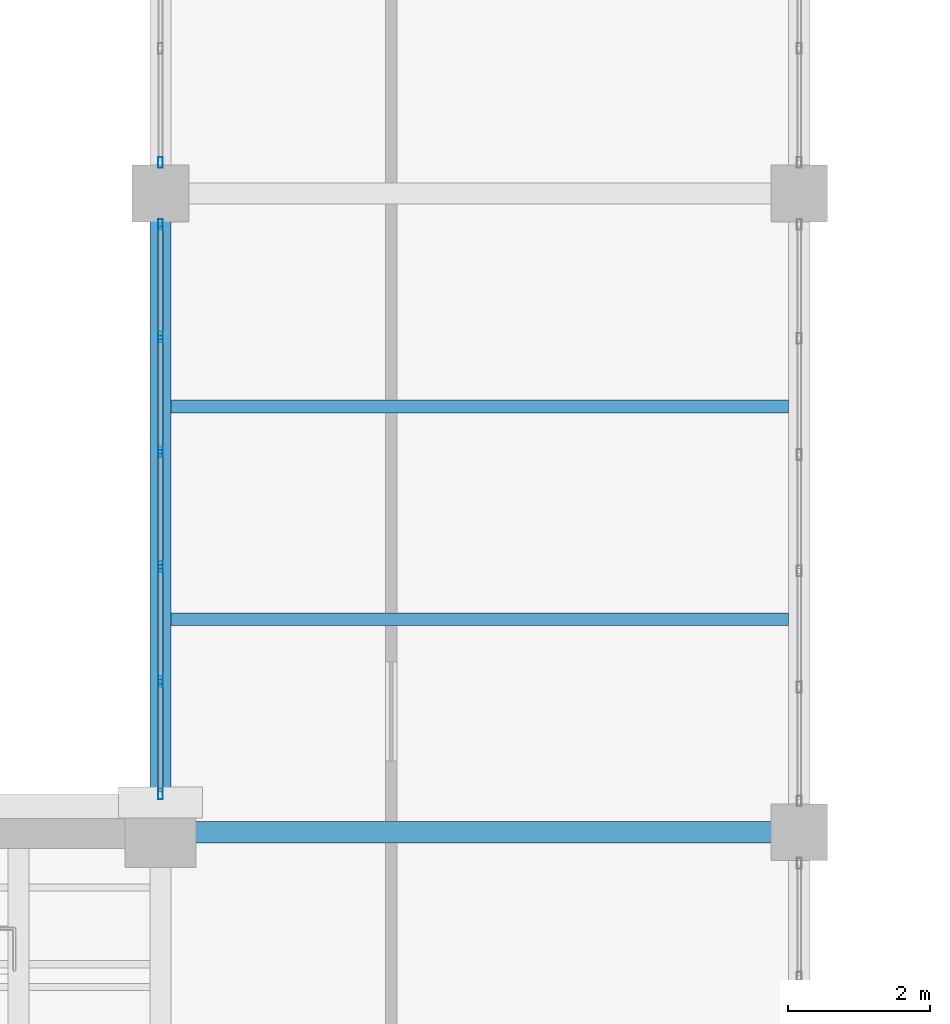
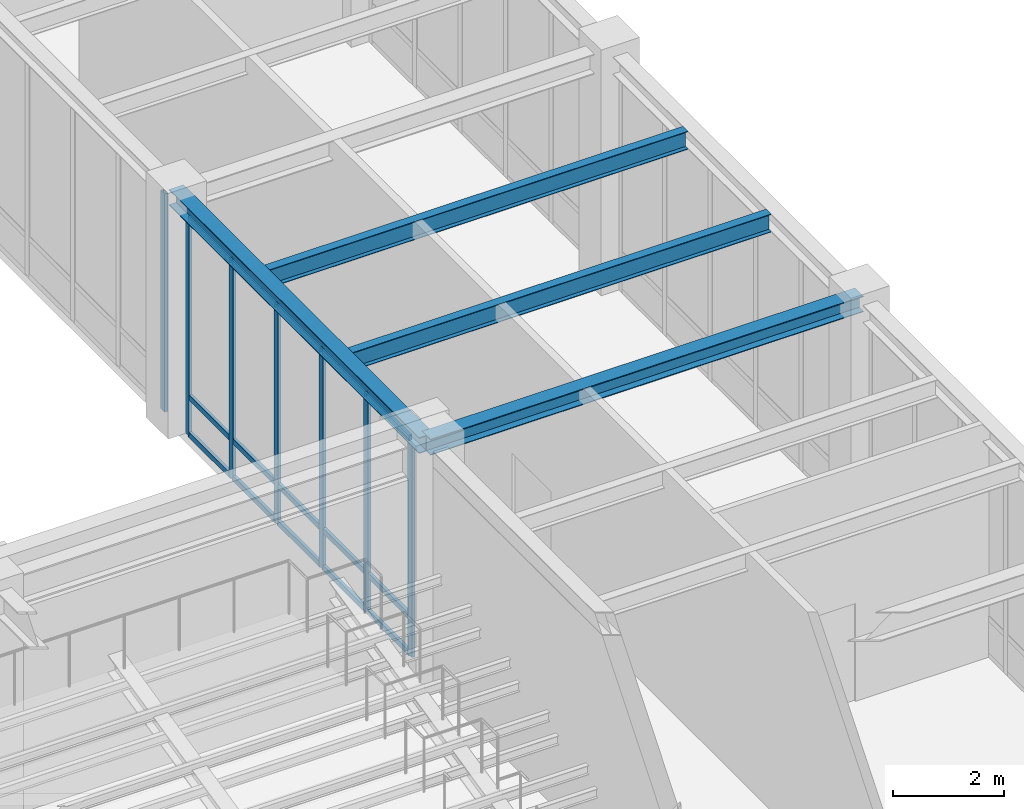
# One storey, part 22 of 77: 22 members, 4 beams, 2 elements without a shape of their own.
"""IFC4 building model written with IfcOpenShell, lengths in metres."""

from ifc_helpers import new_model, si_unit, direction, frame, origin, origin_2d, place, context, subcontext, project, spatial, hollow_rectangle, i_section, extrude, material, material_profile, profile_set, type_object, element, aggregate, save


model = new_model("IFC4")

# Units and contexts
model_context = context("Model", 3, precision=1e-05, world=origin(), true_north=direction((0.0, 1.0)))
body_context = subcontext(model_context, "Body", "Model", "MODEL_VIEW")
ifc_project = project(units=[si_unit("LENGTHUNIT", "METRE"), si_unit("AREAUNIT", "SQUARE_METRE"), si_unit("VOLUMEUNIT", "CUBIC_METRE"), si_unit("PLANEANGLEUNIT", "RADIAN"), si_unit("MASSUNIT", "GRAM", prefix="KILO")], contexts=[model_context])

# Site, building, storey
site_placement = place(None, origin())
site = spatial("IfcSite", under=ifc_project, at=site_placement, CompositionType="ELEMENT")
building_placement = place(site_placement, origin())
building = spatial("IfcBuilding", under=site, at=building_placement, Name="Lykobir Media Centre", CompositionType="ELEMENT")
storey_placement = place(building_placement, origin())
storey = spatial("IfcBuildingStorey", under=building, at=storey_placement, Name="L00", CompositionType="ELEMENT", Elevation=0.0)

# Curtain wall, members
ifc_material_1 = material(Name="Anodized Aluminium AW-6060", Category="aluminium")
curtain_wall_type = type_object("IfcCurtainWallType", Name="CW-COURT-A", PredefinedType="NOTDEFINED", material=ifc_material_1)
curtain_wall_1_placement = place(storey_placement, origin())
curtain_wall_1 = element("IfcCurtainWall", 1, at=curtain_wall_1_placement, inside=storey, type_object=curtain_wall_type, Name="Curtain wall CW2-L00-0023", PredefinedType="NOTDEFINED")
ifc_material_profile_1 = material_profile(ifc_material_1, hollow_rectangle(XDim=0.06494140625, YDim=0.14990234375, WallThickness=0.00341796875, at=origin_2d()), Name="ALU MULLION 65x150")
ifc_profile_set_1 = profile_set([ifc_material_profile_1], Name="Anodized Aluminium AW-6060")
member_type_1 = type_object("IfcMemberType", Name="CWM-150", PredefinedType="MULLION", material=ifc_profile_set_1)
member_1_placement = place(storey_placement, frame((27.0, 45.53759765625, 0.0), z_axis=(0.0, 0.0, 1.0), x_axis=(-1.0, 0.0, 0.0)))
member_1 = element("IfcMember", 2, at=member_1_placement, type_object=member_type_1, Name="CW2-L00-0023 mullion 1", PredefinedType="MULLION", context=body_context, shape_type="SweptSolid", body=[
    extrude(hollow_rectangle(XDim=0.06494140625, YDim=0.14990234375, WallThickness=0.00341796875, at=origin_2d()), origin(), (0.0, 0.0, 1.0), 4.794921875),
])
member_2_placement = place(storey_placement, frame((27.0, 47.123046875, 0.0), z_axis=(0.0, 0.0, 1.0), x_axis=(-1.0, 0.0, 0.0)))
member_2 = element("IfcMember", 3, at=member_2_placement, type_object=member_type_1, Name="CW2-L00-0023 mullion 2", PredefinedType="MULLION", context=body_context, shape_type="SweptSolid", body=[
    extrude(hollow_rectangle(XDim=0.06494140625, YDim=0.14990234375, WallThickness=0.00341796875, at=origin_2d()), origin(), (0.0, 0.0, 1.0), 4.794921875),
])
member_3_placement = place(storey_placement, frame((27.0, 48.740966796875, 0.0), z_axis=(0.0, 0.0, 1.0), x_axis=(-1.0, 0.0, 0.0)))
member_3 = element("IfcMember", 4, at=member_3_placement, type_object=member_type_1, Name="CW2-L00-0023 mullion 3", PredefinedType="MULLION", context=body_context, shape_type="SweptSolid", body=[
    extrude(hollow_rectangle(XDim=0.06494140625, YDim=0.14990234375, WallThickness=0.00341796875, at=origin_2d()), origin(), (0.0, 0.0, 1.0), 4.794921875),
])
member_4_placement = place(storey_placement, frame((27.0, 50.35888671875, 0.0), z_axis=(0.0, 0.0, 1.0), x_axis=(-1.0, 0.0, 0.0)))
member_4 = element("IfcMember", 5, at=member_4_placement, type_object=member_type_1, Name="CW2-L00-0023 mullion 4", PredefinedType="MULLION", context=body_context, shape_type="SweptSolid", body=[
    extrude(hollow_rectangle(XDim=0.06494140625, YDim=0.14990234375, WallThickness=0.00341796875, at=origin_2d()), origin(), (0.0, 0.0, 1.0), 4.794921875),
])
member_5_placement = place(storey_placement, frame((27.0, 51.97705078125, 0.0), z_axis=(0.0, 0.0, 1.0), x_axis=(-1.0, 0.0, 0.0)))
member_5 = element("IfcMember", 6, at=member_5_placement, type_object=member_type_1, Name="CW2-L00-0023 mullion 5", PredefinedType="MULLION", context=body_context, shape_type="SweptSolid", body=[
    extrude(hollow_rectangle(XDim=0.06494140625, YDim=0.14990234375, WallThickness=0.00341796875, at=origin_2d()), origin(), (0.0, 0.0, 1.0), 4.794921875),
])
member_6_placement = place(storey_placement, frame((27.0, 53.5625, 0.0), z_axis=(0.0, 0.0, 1.0), x_axis=(-1.0, 0.0, 0.0)))
member_6 = element("IfcMember", 7, at=member_6_placement, type_object=member_type_1, Name="CW2-L00-0023 mullion 6", PredefinedType="MULLION", context=body_context, shape_type="SweptSolid", body=[
    extrude(hollow_rectangle(XDim=0.06494140625, YDim=0.14990234375, WallThickness=0.00341796875, at=origin_2d()), origin(), (0.0, 0.0, 1.0), 4.794921875),
])

# Curtain wall, member
curtain_wall_2_placement = place(storey_placement, origin())
curtain_wall_2 = element("IfcCurtainWall", 8, at=curtain_wall_2_placement, inside=storey, type_object=curtain_wall_type, Name="Curtain wall CW2-L00-0024", PredefinedType="NOTDEFINED")
member_7_placement = place(storey_placement, frame((27.0, 54.4375, 0.0), z_axis=(0.0, 0.0, 1.0), x_axis=(-1.0, 0.0, 0.0)))
member_7 = element("IfcMember", 9, at=member_7_placement, type_object=member_type_1, Name="CW2-L00-0024 mullion 1", PredefinedType="MULLION", context=body_context, shape_type="SweptSolid", body=[
    extrude(hollow_rectangle(XDim=0.06494140625, YDim=0.14990234375, WallThickness=0.00341796875, at=origin_2d()), origin(), (0.0, 0.0, 1.0), 4.794921875),
])
aggregate(curtain_wall_2, [member_7])

# Member
ifc_material_profile_2 = material_profile(ifc_material_1, hollow_rectangle(XDim=0.06494140625, YDim=0.1201171875, WallThickness=0.0029296875, at=origin_2d()), Name="ALU TRANSOM 65x120")
ifc_profile_set_2 = profile_set([ifc_material_profile_2], Name="Anodized Aluminium AW-6060")
member_type_2 = type_object("IfcMemberType", Name="CWT-120", PredefinedType="USERDEFINED", material=ifc_profile_set_2)
member_8_placement = place(storey_placement, frame((27.0, 45.570068359375, 0.032470703125), z_axis=(0.0, 1.0, 0.0), x_axis=(-1.0, 0.0, 0.0)))
member_8 = element("IfcMember", 10, at=member_8_placement, type_object=member_type_2, Name="CW2-L00-0023 transom 1.1", ObjectType="TRANSOM", PredefinedType="USERDEFINED", context=body_context, shape_type="SweptSolid", body=[
    extrude(hollow_rectangle(XDim=0.06494140625, YDim=0.1201171875, WallThickness=0.0029296875, at=origin_2d()), origin(), (0.0, 0.0, 1.0), 1.5205078125),
])

member_9_placement = place(storey_placement, frame((27.0, 45.570068359375, 0.85009765625), z_axis=(0.0, 1.0, 0.0), x_axis=(-1.0, 0.0, 0.0)))
member_9 = element("IfcMember", 11, at=member_9_placement, type_object=member_type_2, Name="CW2-L00-0023 transom 1.2", ObjectType="TRANSOM", PredefinedType="USERDEFINED", context=body_context, shape_type="SweptSolid", body=[
    extrude(hollow_rectangle(XDim=0.06494140625, YDim=0.1201171875, WallThickness=0.0029296875, at=origin_2d()), origin(), (0.0, 0.0, 1.0), 1.5205078125),
])

member_10_placement = place(storey_placement, frame((27.0, 45.570068359375, 4.762451171875), z_axis=(0.0, 1.0, 0.0), x_axis=(-1.0, 0.0, 0.0)))
member_10 = element("IfcMember", 12, at=member_10_placement, type_object=member_type_2, Name="CW2-L00-0023 transom 1.3", ObjectType="TRANSOM", PredefinedType="USERDEFINED", context=body_context, shape_type="SweptSolid", body=[
    extrude(hollow_rectangle(XDim=0.06494140625, YDim=0.1201171875, WallThickness=0.0029296875, at=origin_2d()), origin(), (0.0, 0.0, 1.0), 1.5205078125),
])

member_11_placement = place(storey_placement, frame((27.0, 47.155517578125, 0.032470703125), z_axis=(0.0, 1.0, 0.0), x_axis=(-1.0, 0.0, 0.0)))
member_11 = element("IfcMember", 13, at=member_11_placement, type_object=member_type_2, Name="CW2-L00-0023 transom 2.1", ObjectType="TRANSOM", PredefinedType="USERDEFINED", context=body_context, shape_type="SweptSolid", body=[
    extrude(hollow_rectangle(XDim=0.06494140625, YDim=0.1201171875, WallThickness=0.0029296875, at=origin_2d()), origin(), (0.0, 0.0, 1.0), 1.552978515625),
])

member_12_placement = place(storey_placement, frame((27.0, 47.155517578125, 0.85009765625), z_axis=(0.0, 1.0, 0.0), x_axis=(-1.0, 0.0, 0.0)))
member_12 = element("IfcMember", 14, at=member_12_placement, type_object=member_type_2, Name="CW2-L00-0023 transom 2.2", ObjectType="TRANSOM", PredefinedType="USERDEFINED", context=body_context, shape_type="SweptSolid", body=[
    extrude(hollow_rectangle(XDim=0.06494140625, YDim=0.1201171875, WallThickness=0.0029296875, at=origin_2d()), origin(), (0.0, 0.0, 1.0), 1.552978515625),
])

member_13_placement = place(storey_placement, frame((27.0, 47.155517578125, 4.762451171875), z_axis=(0.0, 1.0, 0.0), x_axis=(-1.0, 0.0, 0.0)))
member_13 = element("IfcMember", 15, at=member_13_placement, type_object=member_type_2, Name="CW2-L00-0023 transom 2.3", ObjectType="TRANSOM", PredefinedType="USERDEFINED", context=body_context, shape_type="SweptSolid", body=[
    extrude(hollow_rectangle(XDim=0.06494140625, YDim=0.1201171875, WallThickness=0.0029296875, at=origin_2d()), origin(), (0.0, 0.0, 1.0), 1.552978515625),
])

member_14_placement = place(storey_placement, frame((27.0, 48.7734375, 0.032470703125), z_axis=(0.0, 1.0, 0.0), x_axis=(-1.0, 0.0, 0.0)))
member_14 = element("IfcMember", 16, at=member_14_placement, type_object=member_type_2, Name="CW2-L00-0023 transom 3.1", ObjectType="TRANSOM", PredefinedType="USERDEFINED", context=body_context, shape_type="SweptSolid", body=[
    extrude(hollow_rectangle(XDim=0.06494140625, YDim=0.1201171875, WallThickness=0.0029296875, at=origin_2d()), origin(), (0.0, 0.0, 1.0), 1.552978515625),
])

member_15_placement = place(storey_placement, frame((27.0, 48.7734375, 0.85009765625), z_axis=(0.0, 1.0, 0.0), x_axis=(-1.0, 0.0, 0.0)))
member_15 = element("IfcMember", 17, at=member_15_placement, type_object=member_type_2, Name="CW2-L00-0023 transom 3.2", ObjectType="TRANSOM", PredefinedType="USERDEFINED", context=body_context, shape_type="SweptSolid", body=[
    extrude(hollow_rectangle(XDim=0.06494140625, YDim=0.1201171875, WallThickness=0.0029296875, at=origin_2d()), origin(), (0.0, 0.0, 1.0), 1.552978515625),
])

member_16_placement = place(storey_placement, frame((27.0, 48.7734375, 4.762451171875), z_axis=(0.0, 1.0, 0.0), x_axis=(-1.0, 0.0, 0.0)))
member_16 = element("IfcMember", 18, at=member_16_placement, type_object=member_type_2, Name="CW2-L00-0023 transom 3.3", ObjectType="TRANSOM", PredefinedType="USERDEFINED", context=body_context, shape_type="SweptSolid", body=[
    extrude(hollow_rectangle(XDim=0.06494140625, YDim=0.1201171875, WallThickness=0.0029296875, at=origin_2d()), origin(), (0.0, 0.0, 1.0), 1.552978515625),
])

member_17_placement = place(storey_placement, frame((27.0, 50.3916015625, 0.032470703125), z_axis=(0.0, 1.0, 0.0), x_axis=(-1.0, 0.0, 0.0)))
member_17 = element("IfcMember", 19, at=member_17_placement, type_object=member_type_2, Name="CW2-L00-0023 transom 4.1", ObjectType="TRANSOM", PredefinedType="USERDEFINED", context=body_context, shape_type="SweptSolid", body=[
    extrude(hollow_rectangle(XDim=0.06494140625, YDim=0.1201171875, WallThickness=0.0029296875, at=origin_2d()), origin(), (0.0, 0.0, 1.0), 1.552978515625),
])

member_18_placement = place(storey_placement, frame((27.0, 50.3916015625, 0.85009765625), z_axis=(0.0, 1.0, 0.0), x_axis=(-1.0, 0.0, 0.0)))
member_18 = element("IfcMember", 20, at=member_18_placement, type_object=member_type_2, Name="CW2-L00-0023 transom 4.2", ObjectType="TRANSOM", PredefinedType="USERDEFINED", context=body_context, shape_type="SweptSolid", body=[
    extrude(hollow_rectangle(XDim=0.06494140625, YDim=0.1201171875, WallThickness=0.0029296875, at=origin_2d()), origin(), (0.0, 0.0, 1.0), 1.552978515625),
])

member_19_placement = place(storey_placement, frame((27.0, 50.3916015625, 4.762451171875), z_axis=(0.0, 1.0, 0.0), x_axis=(-1.0, 0.0, 0.0)))
member_19 = element("IfcMember", 21, at=member_19_placement, type_object=member_type_2, Name="CW2-L00-0023 transom 4.3", ObjectType="TRANSOM", PredefinedType="USERDEFINED", context=body_context, shape_type="SweptSolid", body=[
    extrude(hollow_rectangle(XDim=0.06494140625, YDim=0.1201171875, WallThickness=0.0029296875, at=origin_2d()), origin(), (0.0, 0.0, 1.0), 1.552978515625),
])

member_20_placement = place(storey_placement, frame((27.0, 52.009521484375, 0.032470703125), z_axis=(0.0, 1.0, 0.0), x_axis=(-1.0, 0.0, 0.0)))
member_20 = element("IfcMember", 22, at=member_20_placement, type_object=member_type_2, Name="CW2-L00-0023 transom 5.1", ObjectType="TRANSOM", PredefinedType="USERDEFINED", context=body_context, shape_type="SweptSolid", body=[
    extrude(hollow_rectangle(XDim=0.06494140625, YDim=0.1201171875, WallThickness=0.0029296875, at=origin_2d()), origin(), (0.0, 0.0, 1.0), 1.5205078125),
])

member_21_placement = place(storey_placement, frame((27.0, 52.009521484375, 0.85009765625), z_axis=(0.0, 1.0, 0.0), x_axis=(-1.0, 0.0, 0.0)))
member_21 = element("IfcMember", 23, at=member_21_placement, type_object=member_type_2, Name="CW2-L00-0023 transom 5.2", ObjectType="TRANSOM", PredefinedType="USERDEFINED", context=body_context, shape_type="SweptSolid", body=[
    extrude(hollow_rectangle(XDim=0.06494140625, YDim=0.1201171875, WallThickness=0.0029296875, at=origin_2d()), origin(), (0.0, 0.0, 1.0), 1.5205078125),
])

member_22_placement = place(storey_placement, frame((27.0, 52.009521484375, 4.762451171875), z_axis=(0.0, 1.0, 0.0), x_axis=(-1.0, 0.0, 0.0)))
member_22 = element("IfcMember", 24, at=member_22_placement, type_object=member_type_2, Name="CW2-L00-0023 transom 5.3", ObjectType="TRANSOM", PredefinedType="USERDEFINED", context=body_context, shape_type="SweptSolid", body=[
    extrude(hollow_rectangle(XDim=0.06494140625, YDim=0.1201171875, WallThickness=0.0029296875, at=origin_2d()), origin(), (0.0, 0.0, 1.0), 1.5205078125),
])

aggregate(curtain_wall_1, [member_1, member_2, member_3, member_4, member_5, member_6, member_8, member_9, member_10, member_11, member_12, member_13, member_14, member_15, member_16, member_17, member_18, member_19, member_20, member_21, member_22])

# Beams
ifc_material_2 = material(Name="Steel S355", Category="steel")
ifc_material_profile_3 = material_profile(ifc_material_2, i_section(OverallWidth=0.179931640625, OverallDepth=0.39990234375, WebThickness=0.008544921875, FlangeThickness=0.013427734375, at=origin_2d()), Name="IPE 400")
ifc_profile_set_3 = profile_set([ifc_material_profile_3], Name="Steel S355")
beam_type_1 = type_object("IfcBeamType", Name="JS-IPE400", PredefinedType="JOIST", material=ifc_profile_set_3)
for number, where, z_axis, x_axis, name in (
    (25, (27.14990234375, 48.0, 4.9599609375), (1.0, 0.0, 0.0), (0.0, 1.0, 0.0), "Beam BM-L00-0272-0480-0358-0480-496"),
    (26, (27.14990234375, 51.0, 4.9599609375), (1.0, 0.0, 0.0), (0.0, 1.0, 0.0), "Beam BM-L00-0272-0510-0358-0510-496"),
):
    element("IfcBeam", number, at=place(storey_placement, frame(where, z_axis=z_axis, x_axis=x_axis)), inside=storey, type_object=beam_type_1, Name=name, PredefinedType="JOIST", context=body_context, shape_type="SweptSolid", body=[
        extrude(i_section(OverallWidth=0.179931640625, OverallDepth=0.39990234375, WebThickness=0.008544921875, FlangeThickness=0.013427734375, at=origin_2d()), origin(), (0.0, 0.0, 1.0), 8.7001953125),
    ])
ifc_material_profile_4 = material_profile(ifc_material_2, i_section(OverallWidth=0.300048828125, OverallDepth=0.35009765625, WebThickness=0.010009765625, FlangeThickness=0.017578125, at=origin_2d()), Name="HEA 360")
ifc_profile_set_4 = profile_set([ifc_material_profile_4], Name="Steel S355")
beam_type_2 = type_object("IfcBeamType", Name="SP-HEA360", PredefinedType="SPANDREL", material=ifc_profile_set_4)
for number, where, z_axis, x_axis, name in (
    (27, (27.0, 45.0, 4.985107421875), (1.0, 0.0, 0.0), (0.0, 1.0, 0.0), "Beam BM-L00-0270-0450-0360-0450-499"),
    (28, (27.0, 45.0, 4.985107421875), (0.0, 1.0, 0.0), (-1.0, 0.0, 0.0), "Beam BM-L00-0270-0450-0270-0540-499"),
):
    element("IfcBeam", number, at=place(storey_placement, frame(where, z_axis=z_axis, x_axis=x_axis)), inside=storey, type_object=beam_type_2, Name=name, PredefinedType="SPANDREL", context=body_context, shape_type="SweptSolid", body=[
        extrude(i_section(OverallWidth=0.300048828125, OverallDepth=0.35009765625, WebThickness=0.010009765625, FlangeThickness=0.017578125, at=origin_2d()), origin(), (0.0, 0.0, 1.0), 9.0),
    ])

save(model, "model.ifc")
